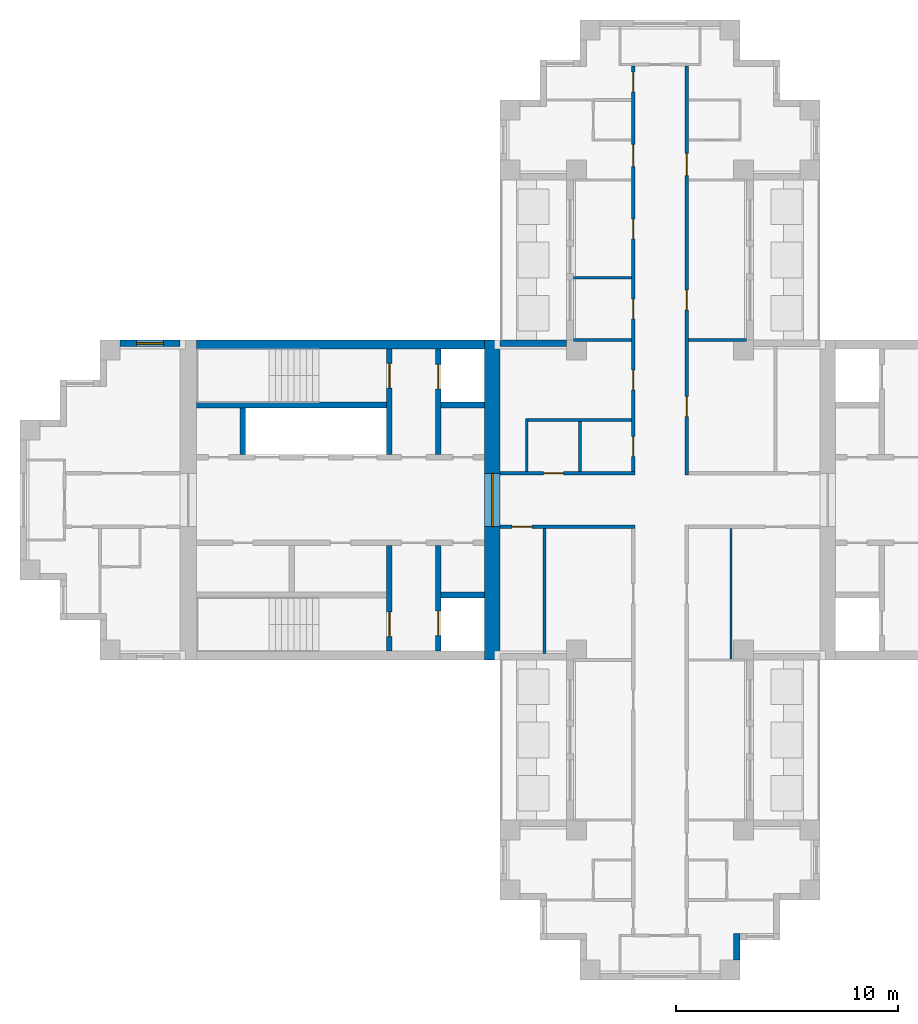
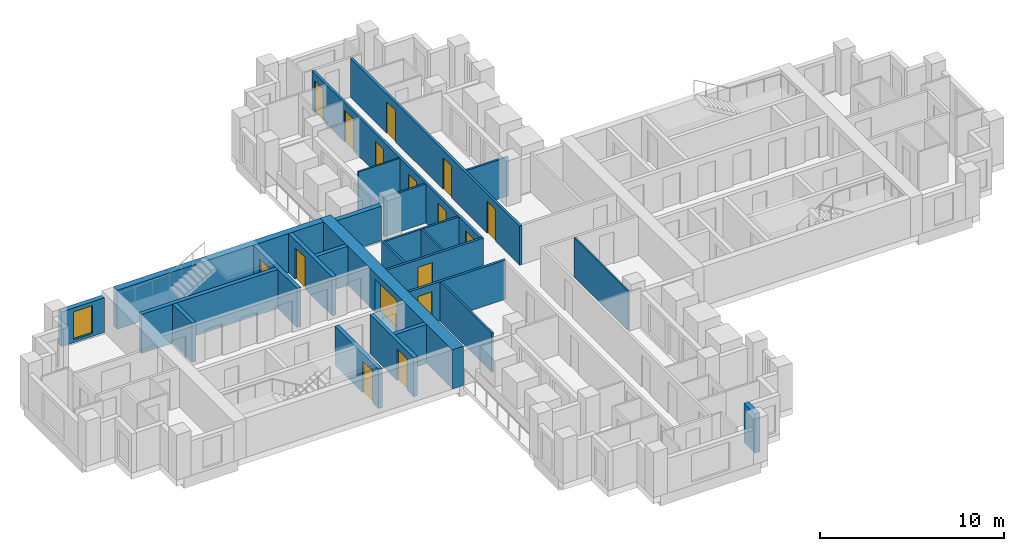
# One storey, part 4 of 10: 25 walls, 16 doors, 1 window, 17 openings.
"""IFC4 building model written with IfcOpenShell, lengths in metres."""

import ifcopenshell
import ifcopenshell.guid

model = None  # the IFC model being written
_history = None  # IfcOwnerHistory: only IFC2X3 demands one
_inside = {}  # id of a spatial element -> (the spatial element, [elements in it])
_under = {}  # id of a project, library or spatial element -> (it, [spatial elements below it])
_declared = {}  # id of a project -> (the project, [libraries it declares])
_typed = {}  # id of a type object -> (the type object, [elements of that type])
_made_of = {}  # id of a material, layer set ... -> (it, [elements and type objects made of it])


def new_model(schema):
    """Start an empty IFC model of exactly this schema.

    Asked for "IFC4X3", IfcOpenShell would pick the latest addendum, in which some entities
    have other attributes; the version numbers below select the first issue.
    IFC2X3 requires an IfcOwnerHistory on every rooted entity: one is made here for all.
    """
    global model, _history
    if schema == "IFC4X3":
        model = ifcopenshell.file(schema_version=(4, 3, 0, 0))
    else:
        model = ifcopenshell.file(schema=schema)
    _inside.clear()
    _under.clear()
    _declared.clear()
    _typed.clear()
    _made_of.clear()
    _history = None
    if model.schema == "IFC2X3":
        org = make("IfcOrganization", Name="unknown")
        user = make(
            "IfcPersonAndOrganization",
            ThePerson=make("IfcPerson", FamilyName="unknown"),
            TheOrganization=org,
        )
        app = make(
            "IfcApplication",
            ApplicationDeveloper=org,
            Version="unknown",
            ApplicationFullName="unknown",
            ApplicationIdentifier="unknown",
        )
        _history = make(
            "IfcOwnerHistory",
            OwningUser=user,
            OwningApplication=app,
            ChangeAction="ADDED",
            CreationDate=0,
        )
    return model


def make(cls, **values):
    """One entity of the class cls with the attributes given. An attribute that is None is left unset."""
    return model.create_entity(
        cls, **{name: value for name, value in values.items() if value is not None}
    )


def rooted(cls, **values):
    """An entity with a GlobalId (a new one), such as an element, a storey or a relation."""
    return make(cls, GlobalId=ifcopenshell.guid.new(), OwnerHistory=_history, **values)


def si_unit(unit_type, name, prefix=None):
    """IfcSIUnit, for example si_unit("LENGTHUNIT", "METRE", prefix="MILLI")."""
    return make("IfcSIUnit", UnitType=unit_type, Prefix=prefix, Name=name)


def assignment(units):
    """IfcUnitAssignment: the units of a project."""
    return None if units is None else make("IfcUnitAssignment", Units=units)


def point(xyz):
    """IfcCartesianPoint."""
    return None if xyz is None else make("IfcCartesianPoint", Coordinates=xyz)


def direction(xyz):
    """IfcDirection."""
    return None if xyz is None else make("IfcDirection", DirectionRatios=xyz)


def frame(location, z_axis=None, x_axis=None):
    """IfcAxis2Placement3D, a coordinate frame: its origin and axes. An axis left out is left unset."""
    return make(
        "IfcAxis2Placement3D",
        Location=point(location),
        Axis=direction(z_axis),
        RefDirection=direction(x_axis),
    )


def frame_2d(location, x_axis=None):
    """IfcAxis2Placement2D, a coordinate frame in the plane: its origin and x axis."""
    return make(
        "IfcAxis2Placement2D", Location=point(location), RefDirection=direction(x_axis)
    )


def origin():
    """The frame at (0, 0, 0) with its axes left unset."""
    return frame((0.0, 0.0, 0.0))


def place(relative_to, where):
    """IfcLocalPlacement: puts the frame where relative to a parent placement (None: the world)."""
    return make(
        "IfcLocalPlacement", PlacementRelTo=relative_to, RelativePlacement=where
    )


def context(
    kind, dimensions, precision=None, world=None, true_north=None, identifier=None
):
    """IfcGeometricRepresentationContext, for example the 3D "Model" context."""
    return make(
        "IfcGeometricRepresentationContext",
        ContextIdentifier=identifier,
        ContextType=kind,
        CoordinateSpaceDimension=dimensions,
        Precision=precision,
        WorldCoordinateSystem=world,
        TrueNorth=true_north,
    )


def subcontext(parent, identifier, kind, view, scale=None):
    """IfcGeometricRepresentationSubContext, for example "Body" below "Model"."""
    return make(
        "IfcGeometricRepresentationSubContext",
        ContextIdentifier=identifier,
        ContextType=kind,
        ParentContext=parent,
        TargetScale=scale,
        TargetView=view,
    )


def project(units=None, contexts=None):
    """IfcProject with its units and contexts."""
    return rooted(
        "IfcProject",
        Name="project",
        RepresentationContexts=contexts,
        UnitsInContext=assignment(units),
    )


def spatial(cls, under=None, at=None, **own):
    """A site, building, storey or space (cls), placed at a placement, below another one or the project."""
    s = rooted(cls, ObjectPlacement=at, **own)
    if under is not None:
        _under.setdefault(under.id(), (under, []))[1].append(s)
    return s


def profile(cls, at=None, kind="AREA", **sizes):
    """A parametric profile (cls). Its sizes go by their IFC names, for example OverallWidth=200.0."""
    return make(cls, ProfileType=kind, Position=at, **sizes)


def rectangle(**sizes):
    """IfcRectangleProfileDef."""
    return profile("IfcRectangleProfileDef", **sizes)


def extrude(swept, where, along, depth):
    """IfcExtrudedAreaSolid: the profile swept, set in the frame where, extruded along a direction by depth."""
    return make(
        "IfcExtrudedAreaSolid",
        SweptArea=swept,
        Position=where,
        ExtrudedDirection=direction(along),
        Depth=depth,
    )


def shape(context_of_items, identifier, shape_type, items):
    """IfcShapeRepresentation: the items that make up one representation, for example the "Body"."""
    return make(
        "IfcShapeRepresentation",
        ContextOfItems=context_of_items,
        RepresentationIdentifier=identifier,
        RepresentationType=shape_type,
        Items=items,
    )


def material(Name=None, Category=None):
    """IfcMaterial."""
    return make("IfcMaterial", Name=Name, Category=Category)


def layer(
    of_material, thickness, ventilated=None, Name=None, Category=None, Priority=None
):
    """IfcMaterialLayer: one layer of a wall or slab, of a material (None: an air gap)."""
    return make(
        "IfcMaterialLayer",
        Material=of_material,
        LayerThickness=thickness,
        IsVentilated=ventilated,
        Name=Name,
        Category=Category,
        Priority=Priority,
    )


def layer_set(layers, Name=None):
    """IfcMaterialLayerSet."""
    return make("IfcMaterialLayerSet", MaterialLayers=layers, LayerSetName=Name)


def made_of(thing, what):
    """Note that an element or type object is made of a material, layer set ...; save() writes the relation."""
    if what is not None:
        _made_of.setdefault(what.id(), (what, []))[1].append(thing)
    return thing


def type_object(cls, material=None, **own):
    """A type object (cls), such as IfcWallType, which elements share."""
    return made_of(rooted(cls, **own), material)


def element(
    cls,
    number,
    at=None,
    inside=None,
    cuts=None,
    type_object=None,
    material=None,
    context=None,
    identifier="Body",
    shape_type=None,
    held_by="IfcProductDefinitionShape",
    body=None,
    shapes=None,
    **own,
):
    """One element of the class cls, such as IfcWall. Its Tag is "e" and its number.

    at: its placement. inside: the storey or other place that contains it. cuts: it is an
    opening in that element (IfcRelVoidsElement). A single representation is given by context,
    identifier, shape_type and body (its items); several are given by shapes. held_by: the class
    of the entity that holds the representations. save() writes the other relations.
    """
    e = rooted(cls, Tag="e%d" % number, ObjectPlacement=at, **own)
    if body is not None:
        shapes = [shape(context, identifier, shape_type, body)]
    if shapes is not None:
        e.Representation = make(held_by, Representations=shapes)
    if inside is not None:
        _inside.setdefault(inside.id(), (inside, []))[1].append(e)
    if cuts is not None:
        rooted(
            "IfcRelVoidsElement", RelatingBuildingElement=cuts, RelatedOpeningElement=e
        )
    if type_object is not None:
        _typed.setdefault(type_object.id(), (type_object, []))[1].append(e)
    return made_of(e, material)


def fill(opening, filler):
    """IfcRelFillsElement: the door or window that sits in an opening."""
    return rooted(
        "IfcRelFillsElement",
        RelatingOpeningElement=opening,
        RelatedBuildingElement=filler,
    )


def aggregate(whole, parts):
    """IfcRelAggregates: a whole, such as a stair, and the parts it consists of."""
    return rooted("IfcRelAggregates", RelatingObject=whole, RelatedObjects=parts)


def save(model, path):
    """Write the relations noted so far, then the file.

    IfcRelAggregates (storeys below a building ...), IfcRelContainedInSpatialStructure (elements
    in a storey), IfcRelDefinesByType, IfcRelAssociatesMaterial and IfcRelDeclares: one each for
    every whole, place, type object, material and project.
    """
    for whole, parts in _under.values():
        aggregate(whole, parts)
    for where, things in _inside.values():
        rooted(
            "IfcRelContainedInSpatialStructure",
            RelatedElements=things,
            RelatingStructure=where,
        )
    for kind, things in _typed.values():
        rooted("IfcRelDefinesByType", RelatedObjects=things, RelatingType=kind)
    for what, things in _made_of.values():
        rooted("IfcRelAssociatesMaterial", RelatedObjects=things, RelatingMaterial=what)
    for by, libraries in _declared.values():
        rooted("IfcRelDeclares", RelatingContext=by, RelatedDefinitions=libraries)
    model.write(path)


model = new_model("IFC4")

# Units and contexts
model_context = context("Model", 3, precision=1e-05, world=origin(), true_north=direction((0.0, 1.0)))
body_context = subcontext(model_context, "Body", "Model", "MODEL_VIEW")
ifc_project = project(units=[si_unit("LENGTHUNIT", "METRE"), si_unit("AREAUNIT", "SQUARE_METRE"), si_unit("VOLUMEUNIT", "CUBIC_METRE"), si_unit("PLANEANGLEUNIT", "RADIAN"), si_unit("MASSUNIT", "GRAM", prefix="KILO")], contexts=[model_context])

# Site, building, storey
site_placement = place(None, origin())
site = spatial("IfcSite", under=ifc_project, at=site_placement, CompositionType="ELEMENT")
building_placement = place(site_placement, origin())
building = spatial("IfcBuilding", under=site, at=building_placement, Name="Fustian Cross Tower", CompositionType="ELEMENT")
storey_placement = place(building_placement, frame((0.0, 0.0, 225.89990234375)))
storey = spatial("IfcBuildingStorey", under=building, at=storey_placement, Name="L71", CompositionType="ELEMENT", Elevation=225.89990234375)

# Wall, opening, door
ifc_material_1 = material(Name="Plasterboard on steel stud", Category="steel")
ifc_layer_1 = layer(ifc_material_1, 0.14990234375)
ifc_layer_set_1 = layer_set([ifc_layer_1], Name="Plasterboard on steel stud")
wall_type_1 = type_object("IfcWallType", Name="COMPARTMENT WALL 150 EI 60", PredefinedType="PARTITIONING", material=ifc_layer_set_1)
wall_1_placement = place(storey_placement, frame((-7.199951171875, -1.199951171875, 0.0), z_axis=(0.0, 0.0, 1.0), x_axis=(1.0, 0.0, 0.0)))
wall_1 = element("IfcWall", 1, at=wall_1_placement, inside=storey, type_object=wall_type_1, Name="Partition 12", PredefinedType="PARTITIONING", context=body_context, shape_type="SweptSolid", body=[
    extrude(rectangle(XDim=6.074951171875, YDim=0.14990234375, at=frame_2d((3.03759765625, 0.0))), origin(), (0.0, 0.0, 1.0), 2.60009765625),
])
opening_1_placement = place(wall_1_placement, frame((0.550048828125, 0.0, 0.0)))
opening_1 = element("IfcOpeningElement", 2, at=opening_1_placement, cuts=wall_1, Name="Opening D32009", PredefinedType="OPENING", context=body_context, shape_type="SweptSolid", body=[
    extrude(rectangle(XDim=0.89990234375, YDim=2.10009765625, at=frame_2d((0.449951171875, 1.050048828125))), frame((0.0, 0.0849609375, 0.0), z_axis=(0.0, -1.0, 0.0), x_axis=(1.0, 0.0, 0.0)), (0.0, 0.0, 1.0), 0.169921875),
])
ifc_material_2 = material(Name="Timber fire door set", Category="wood")
door_type_1 = type_object("IfcDoorType", Name="FIRE SWING DOOR 900 FD30S", OperationType="SINGLE_SWING_LEFT", PredefinedType="DOOR", material=ifc_material_2)
door_1_placement = place(opening_1_placement, frame((0.89990234375, 0.0, 0.0), z_axis=(0.0, 0.0, 1.0), x_axis=(-1.0, 0.0, 0.0)))
door_1 = element("IfcDoor", 3, at=door_1_placement, inside=storey, type_object=door_type_1, Name="Door D32009", OperationType="SINGLE_SWING_RIGHT", OverallHeight=2.10009765625, OverallWidth=0.89990234375, PredefinedType="DOOR", context=body_context, shape_type="SweptSolid", body=[
    extrude(rectangle(XDim=0.89990234375, YDim=2.10009765625, at=frame_2d((0.449951171875, 1.050048828125))), frame((0.0, 0.02490234375, 0.0), z_axis=(0.0, -1.0, 0.0), x_axis=(1.0, 0.0, 0.0)), (0.0, 0.0, 1.0), 0.050048828125),
])
fill(opening_1, door_1)

wall_2_placement = place(storey_placement, frame((-7.199951171875, 1.199951171875, 0.0), z_axis=(0.0, 0.0, 1.0), x_axis=(1.0, 0.0, 0.0)))
wall_2 = element("IfcWall", 4, at=wall_2_placement, inside=storey, type_object=wall_type_1, Name="Partition 13", PredefinedType="PARTITIONING", context=body_context, shape_type="SweptSolid", body=[
    extrude(rectangle(XDim=6.074951171875, YDim=0.14990234375, at=frame_2d((3.03759765625, 0.0))), origin(), (0.0, 0.0, 1.0), 2.60009765625),
])
opening_2_placement = place(wall_2_placement, frame((1.949951171875, 0.0, 0.0)))
opening_2 = element("IfcOpeningElement", 5, at=opening_2_placement, cuts=wall_2, Name="Opening D32004", PredefinedType="OPENING", context=body_context, shape_type="SweptSolid", body=[
    extrude(rectangle(XDim=0.89990234375, YDim=2.10009765625, at=frame_2d((0.449951171875, 1.050048828125))), frame((0.0, 0.0849609375, 0.0), z_axis=(0.0, -1.0, 0.0), x_axis=(1.0, 0.0, 0.0)), (0.0, 0.0, 1.0), 0.169921875),
])
door_2_placement = place(opening_2_placement, origin())
door_2 = element("IfcDoor", 6, at=door_2_placement, inside=storey, type_object=door_type_1, Name="Door D32004", OperationType="SINGLE_SWING_LEFT", OverallHeight=2.10009765625, OverallWidth=0.89990234375, PredefinedType="DOOR", context=body_context, shape_type="SweptSolid", body=[
    extrude(rectangle(XDim=0.89990234375, YDim=2.10009765625, at=frame_2d((0.449951171875, 1.050048828125))), frame((0.0, 0.02490234375, 0.0), z_axis=(0.0, -1.0, 0.0), x_axis=(1.0, 0.0, 0.0)), (0.0, 0.0, 1.0), 0.050048828125),
])
fill(opening_2, door_2)

# Wall, openings, doors
wall_3_placement = place(storey_placement, frame((-1.199951171875, 1.27490234375, 0.0), z_axis=(0.0, 0.0, 1.0), x_axis=(0.0, 1.0, 0.0)))
wall_3 = element("IfcWall", 7, at=wall_3_placement, inside=storey, type_object=wall_type_1, Name="Partition 37", PredefinedType="PARTITIONING", context=body_context, shape_type="SweptSolid", body=[
    extrude(rectangle(XDim=18.25, YDim=0.14990234375, at=frame_2d((9.125, 0.0))), origin(), (0.0, 0.0, 1.0), 2.60009765625),
])
opening_3_placement = place(wall_3_placement, frame((0.675048828125, 0.0, 0.0)))
opening_3 = element("IfcOpeningElement", 8, at=opening_3_placement, cuts=wall_3, Name="Opening D32003", PredefinedType="OPENING", context=body_context, shape_type="SweptSolid", body=[
    extrude(rectangle(XDim=0.89990234375, YDim=2.10009765625, at=frame_2d((0.449951171875, 1.050048828125))), frame((0.0, 0.0849609375, 0.0), z_axis=(0.0, -1.0, 0.0), x_axis=(1.0, 0.0, 0.0)), (0.0, 0.0, 1.0), 0.169921875),
])
opening_4_placement = place(wall_3_placement, frame((3.675048828125, 0.0, 0.0)))
opening_4 = element("IfcOpeningElement", 9, at=opening_4_placement, cuts=wall_3, Name="Opening D32005", PredefinedType="OPENING", context=body_context, shape_type="SweptSolid", body=[
    extrude(rectangle(XDim=0.89990234375, YDim=2.10009765625, at=frame_2d((0.449951171875, 1.050048828125))), frame((0.0, 0.0849609375, 0.0), z_axis=(0.0, -1.0, 0.0), x_axis=(1.0, 0.0, 0.0)), (0.0, 0.0, 1.0), 0.169921875),
])
opening_5_placement = place(wall_3_placement, frame((6.875, 0.0, 0.0)))
opening_5 = element("IfcOpeningElement", 10, at=opening_5_placement, cuts=wall_3, Name="Opening D32016", PredefinedType="OPENING", context=body_context, shape_type="SweptSolid", body=[
    extrude(rectangle(XDim=0.89990234375, YDim=2.10009765625, at=frame_2d((0.449951171875, 1.050048828125))), frame((0.0, 0.0849609375, 0.0), z_axis=(0.0, -1.0, 0.0), x_axis=(1.0, 0.0, 0.0)), (0.0, 0.0, 1.0), 0.169921875),
])
opening_6_placement = place(wall_3_placement, frame((10.47509765625, 0.0, 0.0)))
opening_6 = element("IfcOpeningElement", 11, at=opening_6_placement, cuts=wall_3, Name="Opening D32017", PredefinedType="OPENING", context=body_context, shape_type="SweptSolid", body=[
    extrude(rectangle(XDim=0.89990234375, YDim=2.10009765625, at=frame_2d((0.449951171875, 1.050048828125))), frame((0.0, 0.0849609375, 0.0), z_axis=(0.0, -1.0, 0.0), x_axis=(1.0, 0.0, 0.0)), (0.0, 0.0, 1.0), 0.169921875),
])
opening_7_placement = place(wall_3_placement, frame((13.72509765625, 0.0, 0.0)))
opening_7 = element("IfcOpeningElement", 12, at=opening_7_placement, cuts=wall_3, Name="Opening D32019", PredefinedType="OPENING", context=body_context, shape_type="SweptSolid", body=[
    extrude(rectangle(XDim=1.0, YDim=2.10009765625, at=frame_2d((0.5, 1.050048828125))), frame((0.0, 0.0849609375, 0.0), z_axis=(0.0, -1.0, 0.0), x_axis=(1.0, 0.0, 0.0)), (0.0, 0.0, 1.0), 0.169921875),
])
opening_8_placement = place(wall_3_placement, frame((17.074951171875, 0.0, 0.0)))
opening_8 = element("IfcOpeningElement", 13, at=opening_8_placement, cuts=wall_3, Name="Opening D32020", PredefinedType="OPENING", context=body_context, shape_type="SweptSolid", body=[
    extrude(rectangle(XDim=0.89990234375, YDim=2.10009765625, at=frame_2d((0.449951171875, 1.050048828125))), frame((0.0, 0.0849609375, 0.0), z_axis=(0.0, -1.0, 0.0), x_axis=(1.0, 0.0, 0.0)), (0.0, 0.0, 1.0), 0.169921875),
])
ifc_material_3 = material(Name="Timber fire door set", Category="wood")
door_type_2 = type_object("IfcDoorType", Name="FIRE SWING DOOR 1000 FD30S", OperationType="SINGLE_SWING_LEFT", PredefinedType="DOOR", material=ifc_material_3)
door_3_placement = place(opening_7_placement, origin())
door_3 = element("IfcDoor", 14, at=door_3_placement, inside=storey, type_object=door_type_2, Name="Door D32019", OperationType="SINGLE_SWING_RIGHT", OverallHeight=2.10009765625, OverallWidth=1.0, PredefinedType="DOOR", context=body_context, shape_type="SweptSolid", body=[
    extrude(rectangle(XDim=1.0, YDim=2.10009765625, at=frame_2d((0.5, 1.050048828125))), frame((0.0, 0.02490234375, 0.0), z_axis=(0.0, -1.0, 0.0), x_axis=(1.0, 0.0, 0.0)), (0.0, 0.0, 1.0), 0.050048828125),
])
fill(opening_7, door_3)
door_4_placement = place(opening_3_placement, origin())
door_4 = element("IfcDoor", 15, at=door_4_placement, inside=storey, type_object=door_type_1, Name="Door D32003", OperationType="SINGLE_SWING_LEFT", OverallHeight=2.10009765625, OverallWidth=0.89990234375, PredefinedType="DOOR", context=body_context, shape_type="SweptSolid", body=[
    extrude(rectangle(XDim=0.89990234375, YDim=2.10009765625, at=frame_2d((0.449951171875, 1.050048828125))), frame((0.0, 0.02490234375, 0.0), z_axis=(0.0, -1.0, 0.0), x_axis=(1.0, 0.0, 0.0)), (0.0, 0.0, 1.0), 0.050048828125),
])
fill(opening_3, door_4)
door_5_placement = place(opening_4_placement, origin())
door_5 = element("IfcDoor", 16, at=door_5_placement, inside=storey, type_object=door_type_1, Name="Door D32005", OperationType="SINGLE_SWING_LEFT", OverallHeight=2.10009765625, OverallWidth=0.89990234375, PredefinedType="DOOR", context=body_context, shape_type="SweptSolid", body=[
    extrude(rectangle(XDim=0.89990234375, YDim=2.10009765625, at=frame_2d((0.449951171875, 1.050048828125))), frame((0.0, 0.02490234375, 0.0), z_axis=(0.0, -1.0, 0.0), x_axis=(1.0, 0.0, 0.0)), (0.0, 0.0, 1.0), 0.050048828125),
])
fill(opening_4, door_5)
door_6_placement = place(opening_5_placement, origin())
door_6 = element("IfcDoor", 17, at=door_6_placement, inside=storey, type_object=door_type_1, Name="Door D32016", OperationType="SINGLE_SWING_LEFT", OverallHeight=2.10009765625, OverallWidth=0.89990234375, PredefinedType="DOOR", context=body_context, shape_type="SweptSolid", body=[
    extrude(rectangle(XDim=0.89990234375, YDim=2.10009765625, at=frame_2d((0.449951171875, 1.050048828125))), frame((0.0, 0.02490234375, 0.0), z_axis=(0.0, -1.0, 0.0), x_axis=(1.0, 0.0, 0.0)), (0.0, 0.0, 1.0), 0.050048828125),
])
fill(opening_5, door_6)
door_7_placement = place(opening_6_placement, origin())
door_7 = element("IfcDoor", 18, at=door_7_placement, inside=storey, type_object=door_type_1, Name="Door D32017", OperationType="SINGLE_SWING_LEFT", OverallHeight=2.10009765625, OverallWidth=0.89990234375, PredefinedType="DOOR", context=body_context, shape_type="SweptSolid", body=[
    extrude(rectangle(XDim=0.89990234375, YDim=2.10009765625, at=frame_2d((0.449951171875, 1.050048828125))), frame((0.0, 0.02490234375, 0.0), z_axis=(0.0, -1.0, 0.0), x_axis=(1.0, 0.0, 0.0)), (0.0, 0.0, 1.0), 0.050048828125),
])
fill(opening_6, door_7)
door_8_placement = place(opening_8_placement, origin())
door_8 = element("IfcDoor", 19, at=door_8_placement, inside=storey, type_object=door_type_1, Name="Door D32020", OperationType="SINGLE_SWING_LEFT", OverallHeight=2.10009765625, OverallWidth=0.89990234375, PredefinedType="DOOR", context=body_context, shape_type="SweptSolid", body=[
    extrude(rectangle(XDim=0.89990234375, YDim=2.10009765625, at=frame_2d((0.449951171875, 1.050048828125))), frame((0.0, 0.02490234375, 0.0), z_axis=(0.0, -1.0, 0.0), x_axis=(1.0, 0.0, 0.0)), (0.0, 0.0, 1.0), 0.050048828125),
])
fill(opening_8, door_8)

wall_4_placement = place(storey_placement, frame((1.199951171875, 1.125, 0.0), z_axis=(0.0, 0.0, 1.0), x_axis=(0.0, 1.0, 0.0)))
wall_4 = element("IfcWall", 20, at=wall_4_placement, inside=storey, type_object=wall_type_1, Name="Partition 46", PredefinedType="PARTITIONING", context=body_context, shape_type="SweptSolid", body=[
    extrude(rectangle(XDim=18.39990234375, YDim=0.14990234375, at=frame_2d((9.199951171875, 0.0))), origin(), (0.0, 0.0, 1.0), 2.60009765625),
])
opening_9_placement = place(wall_4_placement, frame((2.625, 0.0, 0.0)))
opening_9 = element("IfcOpeningElement", 21, at=opening_9_placement, cuts=wall_4, Name="Opening D32001", PredefinedType="OPENING", context=body_context, shape_type="SweptSolid", body=[
    extrude(rectangle(XDim=0.89990234375, YDim=2.10009765625, at=frame_2d((0.449951171875, 1.050048828125))), frame((0.0, 0.0849609375, 0.0), z_axis=(0.0, -1.0, 0.0), x_axis=(1.0, 0.0, 0.0)), (0.0, 0.0, 1.0), 0.169921875),
])
opening_10_placement = place(wall_4_placement, frame((7.425048828125, 0.0, 0.0)))
opening_10 = element("IfcOpeningElement", 22, at=opening_10_placement, cuts=wall_4, Name="Opening D32021", PredefinedType="OPENING", context=body_context, shape_type="SweptSolid", body=[
    extrude(rectangle(XDim=0.89990234375, YDim=2.10009765625, at=frame_2d((0.449951171875, 1.050048828125))), frame((0.0, 0.0849609375, 0.0), z_axis=(0.0, -1.0, 0.0), x_axis=(1.0, 0.0, 0.0)), (0.0, 0.0, 1.0), 0.169921875),
])
opening_11_placement = place(wall_4_placement, frame((13.47509765625, 0.0, 0.0)))
opening_11 = element("IfcOpeningElement", 23, at=opening_11_placement, cuts=wall_4, Name="Opening D32023", PredefinedType="OPENING", context=body_context, shape_type="SweptSolid", body=[
    extrude(rectangle(XDim=1.0, YDim=2.10009765625, at=frame_2d((0.5, 1.050048828125))), frame((0.0, 0.0849609375, 0.0), z_axis=(0.0, -1.0, 0.0), x_axis=(1.0, 0.0, 0.0)), (0.0, 0.0, 1.0), 0.169921875),
])
door_9_placement = place(opening_11_placement, frame((1.0, 0.0, 0.0), z_axis=(0.0, 0.0, 1.0), x_axis=(-1.0, 0.0, 0.0)))
door_9 = element("IfcDoor", 24, at=door_9_placement, inside=storey, type_object=door_type_2, Name="Door D32023", OperationType="SINGLE_SWING_RIGHT", OverallHeight=2.10009765625, OverallWidth=1.0, PredefinedType="DOOR", context=body_context, shape_type="SweptSolid", body=[
    extrude(rectangle(XDim=1.0, YDim=2.10009765625, at=frame_2d((0.5, 1.050048828125))), frame((0.0, 0.02490234375, 0.0), z_axis=(0.0, -1.0, 0.0), x_axis=(1.0, 0.0, 0.0)), (0.0, 0.0, 1.0), 0.050048828125),
])
fill(opening_11, door_9)
door_10_placement = place(opening_9_placement, frame((0.89990234375, 0.0, 0.0), z_axis=(0.0, 0.0, 1.0), x_axis=(-1.0, 0.0, 0.0)))
door_10 = element("IfcDoor", 25, at=door_10_placement, inside=storey, type_object=door_type_1, Name="Door D32001", OperationType="SINGLE_SWING_RIGHT", OverallHeight=2.10009765625, OverallWidth=0.89990234375, PredefinedType="DOOR", context=body_context, shape_type="SweptSolid", body=[
    extrude(rectangle(XDim=0.89990234375, YDim=2.10009765625, at=frame_2d((0.449951171875, 1.050048828125))), frame((0.0, 0.02490234375, 0.0), z_axis=(0.0, -1.0, 0.0), x_axis=(1.0, 0.0, 0.0)), (0.0, 0.0, 1.0), 0.050048828125),
])
fill(opening_9, door_10)
door_11_placement = place(opening_10_placement, frame((0.89990234375, 0.0, 0.0), z_axis=(0.0, 0.0, 1.0), x_axis=(-1.0, 0.0, 0.0)))
door_11 = element("IfcDoor", 26, at=door_11_placement, inside=storey, type_object=door_type_1, Name="Door D32021", OperationType="SINGLE_SWING_RIGHT", OverallHeight=2.10009765625, OverallWidth=0.89990234375, PredefinedType="DOOR", context=body_context, shape_type="SweptSolid", body=[
    extrude(rectangle(XDim=0.89990234375, YDim=2.10009765625, at=frame_2d((0.449951171875, 1.050048828125))), frame((0.0, 0.02490234375, 0.0), z_axis=(0.0, -1.0, 0.0), x_axis=(1.0, 0.0, 0.0)), (0.0, 0.0, 1.0), 0.050048828125),
])
fill(opening_10, door_11)

# Wall, opening, door
ifc_material_4 = material(Name="Concrete C50/60", Category="concrete")
ifc_layer_2 = layer(ifc_material_4, 0.699951171875)
ifc_layer_set_2 = layer_set([ifc_layer_2], Name="Concrete C50/60")
wall_type_2 = type_object("IfcWallType", Name="CORE END WALL 700 C50/60", PredefinedType="SHEAR", material=ifc_layer_set_2)
wall_5_placement = place(storey_placement, frame((-7.550048828125, -7.199951171875, 0.0), z_axis=(0.0, 0.0, 1.0), x_axis=(0.0, 1.0, 0.0)))
wall_5 = element("IfcWall", 27, at=wall_5_placement, inside=storey, type_object=wall_type_2, Name="Core end wall", PredefinedType="SHEAR", context=body_context, shape_type="SweptSolid", body=[
    extrude(rectangle(XDim=14.39990234375, YDim=0.699951171875, at=frame_2d((7.199951171875, 0.0))), origin(), (0.0, 0.0, 1.0), 2.60009765625),
])
opening_12_placement = place(wall_5_placement, frame((6.0, 0.0, 0.0)))
opening_12 = element("IfcOpeningElement", 28, at=opening_12_placement, cuts=wall_5, Name="Opening CD-27-28", PredefinedType="OPENING", context=body_context, shape_type="SweptSolid", body=[
    extrude(rectangle(XDim=2.39990234375, YDim=2.199951171875, at=frame_2d((1.199951171875, 1.10009765625))), frame((0.0, 0.35986328125, 0.0), z_axis=(0.0, -1.0, 0.0), x_axis=(1.0, 0.0, 0.0)), (0.0, 0.0, 1.0), 0.719970703125),
])
ifc_material_5 = material(Name="Steel", Category="steel")
door_type_3 = type_object("IfcDoorType", Name="FIRE DOOR FD30S DOUBLE 2400X2200", OperationType="DOUBLE_DOOR_DOUBLE_SWING", PredefinedType="DOOR", material=ifc_material_5)
door_12_placement = place(opening_12_placement, origin())
door_12 = element("IfcDoor", 29, at=door_12_placement, inside=storey, type_object=door_type_3, Name="Core door CD-27-28", OperationType="DOUBLE_DOOR_DOUBLE_SWING", OverallHeight=2.199951171875, OverallWidth=2.39990234375, PredefinedType="DOOR", context=body_context, shape_type="SweptSolid", body=[
    extrude(rectangle(XDim=2.39990234375, YDim=2.199951171875, at=frame_2d((1.199951171875, 1.10009765625))), frame((0.0, 0.02490234375, 0.0), z_axis=(0.0, -1.0, 0.0), x_axis=(1.0, 0.0, 0.0)), (0.0, 0.0, 1.0), 0.050048828125),
])
fill(opening_12, door_12)

# Walls
ifc_material_6 = material(Name="Concrete C50/60", Category="concrete")
ifc_layer_3 = layer(ifc_material_6, 0.39990234375)
ifc_layer_set_3 = layer_set([ifc_layer_3], Name="Concrete C50/60")
wall_type_3 = type_object("IfcWallType", Name="CORE FACADE WALL 400 C50/60", PredefinedType="SHEAR", material=ifc_layer_set_3)
wall_6_placement = place(storey_placement, frame((-7.89990234375, 7.0, 0.0), z_axis=(0.0, 0.0, 1.0), x_axis=(-1.0, 0.0, 0.0)))
element("IfcWall", 30, at=wall_6_placement, inside=storey, type_object=wall_type_3, Name="Core facade wall", PredefinedType="SHEAR", context=body_context, shape_type="SweptSolid", body=[
    extrude(rectangle(XDim=12.9501953125, YDim=0.39990234375, at=frame_2d((6.47509765625, 0.0))), origin(), (0.0, 0.0, 1.0), 2.60009765625),
])
ifc_material_7 = material(Name="Concrete C50/60", Category="concrete")
ifc_layer_4 = layer(ifc_material_7, 0.25)
ifc_layer_set_4 = layer_set([ifc_layer_4], Name="Concrete C50/60")
wall_type_4 = type_object("IfcWallType", Name="CORE SHAFT WALL 250 C50/60", PredefinedType="SHEAR", material=ifc_layer_set_4)
wall_7_placement = place(storey_placement, frame((-7.89990234375, 4.27490234375, 0.0), z_axis=(0.0, 0.0, 1.0), x_axis=(-1.0, 0.0, 0.0)))
element("IfcWall", 31, at=wall_7_placement, inside=storey, type_object=wall_type_4, Name="Core shaft wall", PredefinedType="SHEAR", context=body_context, shape_type="SweptSolid", body=[
    extrude(rectangle(XDim=1.9501953125, YDim=0.25, at=frame_2d((0.97509765625, 0.0))), origin(), (0.0, 0.0, 1.0), 2.60009765625),
])
wall_8_placement = place(storey_placement, frame((-12.300048828125, 4.27490234375, 0.0), z_axis=(0.0, 0.0, 1.0), x_axis=(-1.0, 0.0, 0.0)))
element("IfcWall", 32, at=wall_8_placement, inside=storey, type_object=wall_type_4, Name="Core shaft wall", PredefinedType="SHEAR", context=body_context, shape_type="SweptSolid", body=[
    extrude(rectangle(XDim=8.550048828125, YDim=0.25, at=frame_2d((4.27490234375, 0.0))), origin(), (0.0, 0.0, 1.0), 2.60009765625),
])

# Wall, opening, door
wall_9_placement = place(storey_placement, frame((-9.97509765625, 2.050048828125, 0.0), z_axis=(0.0, 0.0, 1.0), x_axis=(0.0, 1.0, 0.0)))
wall_9 = element("IfcWall", 33, at=wall_9_placement, inside=storey, type_object=wall_type_4, Name="Core shaft wall", PredefinedType="SHEAR", context=body_context, shape_type="SweptSolid", body=[
    extrude(rectangle(XDim=4.75, YDim=0.25, at=frame_2d((2.375, 0.0))), origin(), (0.0, 0.0, 1.0), 2.60009765625),
])
opening_13_placement = place(wall_9_placement, frame((2.949951171875, 0.0, 0.0)))
opening_13 = element("IfcOpeningElement", 34, at=opening_13_placement, cuts=wall_9, Name="Opening LD", PredefinedType="OPENING", context=body_context, shape_type="SweptSolid", body=[
    extrude(rectangle(XDim=1.10009765625, YDim=2.10009765625, at=frame_2d((0.550048828125, 1.050048828125))), frame((0.0, 0.135009765625, 0.0), z_axis=(0.0, -1.0, 0.0), x_axis=(1.0, 0.0, 0.0)), (0.0, 0.0, 1.0), 0.27001953125),
])
ifc_material_8 = material(Name="Stainless steel", Category="steel")
door_type_4 = type_object("IfcDoorType", Name="LIFT LANDING DOOR 1100X2100", OperationType="SLIDING_TO_LEFT", PredefinedType="DOOR", material=ifc_material_8)
door_13_placement = place(opening_13_placement, origin())
door_13 = element("IfcDoor", 35, at=door_13_placement, inside=storey, type_object=door_type_4, Name="Landing door FL1W", OperationType="SLIDING_TO_LEFT", OverallHeight=2.10009765625, OverallWidth=1.10009765625, PredefinedType="DOOR", context=body_context, shape_type="SweptSolid", body=[
    extrude(rectangle(XDim=1.10009765625, YDim=2.10009765625, at=frame_2d((0.550048828125, 1.050048828125))), frame((0.0, 0.02490234375, 0.0), z_axis=(0.0, -1.0, 0.0), x_axis=(1.0, 0.0, 0.0)), (0.0, 0.0, 1.0), 0.050048828125),
])
fill(opening_13, door_13)

wall_10_placement = place(storey_placement, frame((-12.175048828125, 2.050048828125, 0.0), z_axis=(0.0, 0.0, 1.0), x_axis=(0.0, 1.0, 0.0)))
wall_10 = element("IfcWall", 36, at=wall_10_placement, inside=storey, type_object=wall_type_4, Name="Core shaft wall", PredefinedType="SHEAR", context=body_context, shape_type="SweptSolid", body=[
    extrude(rectangle(XDim=4.75, YDim=0.25, at=frame_2d((2.375, 0.0))), origin(), (0.0, 0.0, 1.0), 2.60009765625),
])
opening_14_placement = place(wall_10_placement, frame((3.0, 0.0, 0.0)))
opening_14 = element("IfcOpeningElement", 37, at=opening_14_placement, cuts=wall_10, Name="Opening CD-27-22", PredefinedType="OPENING", context=body_context, shape_type="SweptSolid", body=[
    extrude(rectangle(XDim=1.10009765625, YDim=2.10009765625, at=frame_2d((0.550048828125, 1.050048828125))), frame((0.0, 0.135009765625, 0.0), z_axis=(0.0, -1.0, 0.0), x_axis=(1.0, 0.0, 0.0)), (0.0, 0.0, 1.0), 0.27001953125),
])
ifc_material_9 = material(Name="Steel", Category="steel")
door_type_5 = type_object("IfcDoorType", Name="FIRE DOOR FD60S 1100X2100", OperationType="SINGLE_SWING_LEFT", PredefinedType="DOOR", material=ifc_material_9)
door_14_placement = place(opening_14_placement, origin())
door_14 = element("IfcDoor", 38, at=door_14_placement, inside=storey, type_object=door_type_5, Name="Core door CD-27-22", OperationType="SINGLE_SWING_LEFT", OverallHeight=2.10009765625, OverallWidth=1.10009765625, PredefinedType="DOOR", context=body_context, shape_type="SweptSolid", body=[
    extrude(rectangle(XDim=1.10009765625, YDim=2.10009765625, at=frame_2d((0.550048828125, 1.050048828125))), frame((0.0, 0.02490234375, 0.0), z_axis=(0.0, -1.0, 0.0), x_axis=(1.0, 0.0, 0.0)), (0.0, 0.0, 1.0), 0.050048828125),
])
fill(opening_14, door_14)

# Wall
wall_11_placement = place(storey_placement, frame((-7.89990234375, -4.27490234375, 0.0), z_axis=(0.0, 0.0, 1.0), x_axis=(-1.0, 0.0, 0.0)))
element("IfcWall", 39, at=wall_11_placement, inside=storey, type_object=wall_type_4, Name="Core shaft wall", PredefinedType="SHEAR", context=body_context, shape_type="SweptSolid", body=[
    extrude(rectangle(XDim=1.9501953125, YDim=0.25, at=frame_2d((0.97509765625, 0.0))), origin(), (0.0, 0.0, 1.0), 2.60009765625),
])

# Wall, opening, door
wall_12_placement = place(storey_placement, frame((-9.97509765625, -2.050048828125, 0.0), z_axis=(0.0, 0.0, 1.0), x_axis=(0.0, -1.0, 0.0)))
wall_12 = element("IfcWall", 40, at=wall_12_placement, inside=storey, type_object=wall_type_4, Name="Core shaft wall", PredefinedType="SHEAR", context=body_context, shape_type="SweptSolid", body=[
    extrude(rectangle(XDim=4.75, YDim=0.25, at=frame_2d((2.375, 0.0))), origin(), (0.0, 0.0, 1.0), 2.60009765625),
])
opening_15_placement = place(wall_12_placement, frame((2.949951171875, 0.0, 0.0)))
opening_15 = element("IfcOpeningElement", 41, at=opening_15_placement, cuts=wall_12, Name="Opening LD", PredefinedType="OPENING", context=body_context, shape_type="SweptSolid", body=[
    extrude(rectangle(XDim=1.10009765625, YDim=2.10009765625, at=frame_2d((0.550048828125, 1.050048828125))), frame((0.0, 0.135009765625, 0.0), z_axis=(0.0, -1.0, 0.0), x_axis=(1.0, 0.0, 0.0)), (0.0, 0.0, 1.0), 0.27001953125),
])
door_15_placement = place(opening_15_placement, origin())
door_15 = element("IfcDoor", 42, at=door_15_placement, inside=storey, type_object=door_type_4, Name="Landing door SV1W", OperationType="SLIDING_TO_LEFT", OverallHeight=2.10009765625, OverallWidth=1.10009765625, PredefinedType="DOOR", context=body_context, shape_type="SweptSolid", body=[
    extrude(rectangle(XDim=1.10009765625, YDim=2.10009765625, at=frame_2d((0.550048828125, 1.050048828125))), frame((0.0, 0.02490234375, 0.0), z_axis=(0.0, -1.0, 0.0), x_axis=(1.0, 0.0, 0.0)), (0.0, 0.0, 1.0), 0.050048828125),
])
fill(opening_15, door_15)

wall_13_placement = place(storey_placement, frame((-12.175048828125, -2.050048828125, 0.0), z_axis=(0.0, 0.0, 1.0), x_axis=(0.0, -1.0, 0.0)))
wall_13 = element("IfcWall", 43, at=wall_13_placement, inside=storey, type_object=wall_type_4, Name="Core shaft wall", PredefinedType="SHEAR", context=body_context, shape_type="SweptSolid", body=[
    extrude(rectangle(XDim=4.75, YDim=0.25, at=frame_2d((2.375, 0.0))), origin(), (0.0, 0.0, 1.0), 2.60009765625),
])
opening_16_placement = place(wall_13_placement, frame((3.0, 0.0, 0.0)))
opening_16 = element("IfcOpeningElement", 44, at=opening_16_placement, cuts=wall_13, Name="Opening CD-27-23", PredefinedType="OPENING", context=body_context, shape_type="SweptSolid", body=[
    extrude(rectangle(XDim=1.10009765625, YDim=2.10009765625, at=frame_2d((0.550048828125, 1.050048828125))), frame((0.0, 0.135009765625, 0.0), z_axis=(0.0, -1.0, 0.0), x_axis=(1.0, 0.0, 0.0)), (0.0, 0.0, 1.0), 0.27001953125),
])
door_16_placement = place(opening_16_placement, frame((1.10009765625, 0.0, 0.0), z_axis=(0.0, 0.0, 1.0), x_axis=(-1.0, 0.0, 0.0)))
door_16 = element("IfcDoor", 45, at=door_16_placement, inside=storey, type_object=door_type_5, Name="Core door CD-27-23", OperationType="SINGLE_SWING_RIGHT", OverallHeight=2.10009765625, OverallWidth=1.10009765625, PredefinedType="DOOR", context=body_context, shape_type="SweptSolid", body=[
    extrude(rectangle(XDim=1.10009765625, YDim=2.10009765625, at=frame_2d((0.550048828125, 1.050048828125))), frame((0.0, 0.02490234375, 0.0), z_axis=(0.0, -1.0, 0.0), x_axis=(1.0, 0.0, 0.0)), (0.0, 0.0, 1.0), 0.050048828125),
])
fill(opening_16, door_16)

# Walls
ifc_material_10 = material(Name="Plasterboard on steel stud", Category="steel")
ifc_layer_5 = layer(ifc_material_10, 0.10009765625)
ifc_layer_set_5 = layer_set([ifc_layer_5], Name="Plasterboard on steel stud")
wall_type_5 = type_object("IfcWallType", Name="PARTITION 100 STUD", PredefinedType="PARTITIONING", material=ifc_layer_set_5)
wall_14_placement = place(storey_placement, frame((-3.89990234375, 10.0, 0.0), z_axis=(0.0, 0.0, 1.0), x_axis=(1.0, 0.0, 0.0)))
element("IfcWall", 46, at=wall_14_placement, inside=storey, type_object=wall_type_5, Name="Partition 22", PredefinedType="PARTITIONING", context=body_context, shape_type="SweptSolid", body=[
    extrude(rectangle(XDim=2.625, YDim=0.10009765625, at=frame_2d((1.3125, 0.0))), origin(), (0.0, 0.0, 1.0), 2.60009765625),
])
wall_15_placement = place(storey_placement, frame((3.199951171875, -7.14990234375, 0.0), z_axis=(0.0, 0.0, 1.0), x_axis=(0.0, 1.0, 0.0)))
element("IfcWall", 47, at=wall_15_placement, inside=storey, type_object=wall_type_5, Name="Partition 57", PredefinedType="PARTITIONING", context=body_context, shape_type="SweptSolid", body=[
    extrude(rectangle(XDim=5.875, YDim=0.10009765625, at=frame_2d((2.9375, 0.0))), origin(), (0.0, 0.0, 1.0), 2.60009765625),
])
ifc_material_11 = material(Name="Concrete C40/50", Category="concrete")
ifc_layer_6 = layer(ifc_material_11, 0.25)
ifc_layer_set_6 = layer_set([ifc_layer_6], Name="Concrete C40/50")
wall_type_6 = type_object("IfcWallType", Name="SHAFT PARTITION WALL 250 C40/50", PredefinedType="PARTITIONING", material=ifc_layer_set_6)
wall_16_placement = place(storey_placement, frame((-18.77490234375, 2.050048828125, 0.0), z_axis=(0.0, 0.0, 1.0), x_axis=(0.0, 1.0, 0.0)))
element("IfcWall", 48, at=wall_16_placement, inside=storey, type_object=wall_type_6, Name="Core shaft wall", PredefinedType="PARTITIONING", context=body_context, shape_type="SweptSolid", body=[
    extrude(rectangle(XDim=2.099853515625, YDim=0.25, at=frame_2d((1.0498046875, 0.0))), origin(), (0.0, 0.0, 1.0), 2.60009765625),
])
ifc_material_12 = material(Name="Plasterboard on steel stud", Category="steel")
ifc_layer_7 = layer(ifc_material_12, 0.125)
ifc_layer_set_7 = layer_set([ifc_layer_7], Name="Plasterboard on steel stud")
wall_type_7 = type_object("IfcWallType", Name="WET WALL 125 STUD", PredefinedType="PARTITIONING", material=ifc_layer_set_7)
wall_17_placement = place(storey_placement, frame((-6.0, 1.27490234375, 0.0), z_axis=(0.0, 0.0, 1.0), x_axis=(0.0, 1.0, 0.0)))
element("IfcWall", 49, at=wall_17_placement, inside=storey, type_object=wall_type_7, Name="Partition 14", PredefinedType="PARTITIONING", context=body_context, shape_type="SweptSolid", body=[
    extrude(rectangle(XDim=2.3876953125, YDim=0.125, at=frame_2d((1.19384765625, 0.0))), origin(), (0.0, 0.0, 1.0), 2.60009765625),
])
wall_18_placement = place(storey_placement, frame((-5.9375, 3.60009765625, 0.0), z_axis=(0.0, 0.0, 1.0), x_axis=(1.0, 0.0, 0.0)))
element("IfcWall", 50, at=wall_18_placement, inside=storey, type_object=wall_type_7, Name="Partition 15", PredefinedType="PARTITIONING", context=body_context, shape_type="SweptSolid", body=[
    extrude(rectangle(XDim=4.66259765625, YDim=0.125, at=frame_2d((2.331298828125, 0.0))), origin(), (0.0, 0.0, 1.0), 2.60009765625),
])
wall_19_placement = place(storey_placement, frame((-5.199951171875, -6.89990234375, 0.0), z_axis=(0.0, 0.0, 1.0), x_axis=(0.0, 1.0, 0.0)))
element("IfcWall", 51, at=wall_19_placement, inside=storey, type_object=wall_type_7, Name="Partition 16", PredefinedType="PARTITIONING", context=body_context, shape_type="SweptSolid", body=[
    extrude(rectangle(XDim=5.625, YDim=0.125, at=frame_2d((2.8125, 0.0))), origin(), (0.0, 0.0, 1.0), 2.60009765625),
])
wall_20_placement = place(storey_placement, frame((-3.89990234375, 7.199951171875, 0.0), z_axis=(0.0, 0.0, 1.0), x_axis=(1.0, 0.0, 0.0)))
element("IfcWall", 52, at=wall_20_placement, inside=storey, type_object=wall_type_7, Name="Partition 21", PredefinedType="PARTITIONING", context=body_context, shape_type="SweptSolid", body=[
    extrude(rectangle(XDim=2.625, YDim=0.125, at=frame_2d((1.3125, 0.0))), origin(), (0.0, 0.0, 1.0), 2.60009765625),
])
wall_21_placement = place(storey_placement, frame((-3.60009765625, 1.27490234375, 0.0), z_axis=(0.0, 0.0, 1.0), x_axis=(0.0, 1.0, 0.0)))
element("IfcWall", 53, at=wall_21_placement, inside=storey, type_object=wall_type_7, Name="Partition 24", PredefinedType="PARTITIONING", context=body_context, shape_type="SweptSolid", body=[
    extrude(rectangle(XDim=2.2626953125, YDim=0.125, at=frame_2d((1.13134765625, 0.0))), origin(), (0.0, 0.0, 1.0), 2.60009765625),
])
wall_22_placement = place(storey_placement, frame((1.27490234375, 7.199951171875, 0.0), z_axis=(0.0, 0.0, 1.0), x_axis=(1.0, 0.0, 0.0)))
element("IfcWall", 54, at=wall_22_placement, inside=storey, type_object=wall_type_7, Name="Partition 48", PredefinedType="PARTITIONING", context=body_context, shape_type="SweptSolid", body=[
    extrude(rectangle(XDim=2.625, YDim=0.125, at=frame_2d((1.3125, 0.0))), origin(), (0.0, 0.0, 1.0), 2.60009765625),
])
ifc_material_13 = material(Name="Dark aluminium cladding on insulated backing wall", Category="aluminium")
ifc_layer_8 = layer(ifc_material_13, 0.300048828125)
ifc_layer_set_8 = layer_set([ifc_layer_8], Name="Dark aluminium cladding on insulated backing wall")
wall_type_8 = type_object("IfcWallType", Name="XW1 EXTERNAL WALL 300", PredefinedType="SOLIDWALL", material=ifc_layer_set_8)
wall_23_placement = place(storey_placement, frame((-4.199951171875, 7.050048828125, 0.0), z_axis=(0.0, 0.0, 1.0), x_axis=(-1.0, 0.0, 0.0)))
element("IfcWall", 55, at=wall_23_placement, inside=storey, type_object=wall_type_8, Name="External wall", PredefinedType="SOLIDWALL", context=body_context, shape_type="SweptSolid", body=[
    extrude(rectangle(XDim=3.0, YDim=0.300048828125, at=frame_2d((1.5, 0.0))), origin(), (0.0, 0.0, 1.0), 2.300048828125),
])

# Wall, opening, window
wall_24_placement = place(storey_placement, frame((-21.60009765625, 7.050048828125, 0.0), z_axis=(0.0, 0.0, 1.0), x_axis=(-1.0, 0.0, 0.0)))
wall_24 = element("IfcWall", 56, at=wall_24_placement, inside=storey, type_object=wall_type_8, Name="External wall", PredefinedType="SOLIDWALL", context=body_context, shape_type="SweptSolid", body=[
    extrude(rectangle(XDim=2.699951171875, YDim=0.300048828125, at=frame_2d((1.35009765625, 0.0))), origin(), (0.0, 0.0, 1.0), 2.300048828125),
])
opening_17_placement = place(wall_24_placement, frame((0.75, 0.0, 0.199951171875)))
opening_17 = element("IfcOpeningElement", 57, at=opening_17_placement, cuts=wall_24, Name="Opening WN3", PredefinedType="OPENING", context=body_context, shape_type="SweptSolid", body=[
    extrude(rectangle(XDim=1.199951171875, YDim=1.85009765625, at=frame_2d((0.60009765625, 0.925048828125))), frame((0.0, 0.159912109375, 0.0), z_axis=(0.0, -1.0, 0.0), x_axis=(1.0, 0.0, 0.0)), (0.0, 0.0, 1.0), 0.320068359375),
])
ifc_material_14 = material(Name="Dark anodised aluminium and double glazing", Category="aluminium")
window_type = type_object("IfcWindowType", Name="WN3 WINDOW 1200X1850", PartitioningType="SINGLE_PANEL", PredefinedType="WINDOW", material=ifc_material_14)
window_placement = place(opening_17_placement, origin())
window = element("IfcWindow", 58, at=window_placement, inside=storey, type_object=window_type, Name="Window", OverallHeight=1.85009765625, OverallWidth=1.199951171875, PartitioningType="SINGLE_PANEL", PredefinedType="WINDOW", context=body_context, shape_type="SweptSolid", body=[
    extrude(rectangle(XDim=1.199951171875, YDim=1.85009765625, at=frame_2d((0.60009765625, 0.925048828125))), frame((0.0, 0.030029296875, 0.0), z_axis=(0.0, -1.0, 0.0), x_axis=(1.0, 0.0, 0.0)), (0.0, 0.0, 1.0), 0.06005859375),
])
fill(opening_17, window)

# Wall
wall_25_placement = place(storey_placement, frame((3.449951171875, -20.699951171875, 0.0), z_axis=(0.0, 0.0, 1.0), x_axis=(0.0, 1.0, 0.0)))
element("IfcWall", 59, at=wall_25_placement, inside=storey, type_object=wall_type_8, Name="External wall", PredefinedType="SOLIDWALL", context=body_context, shape_type="SweptSolid", body=[
    extrude(rectangle(XDim=1.199951171875, YDim=0.300048828125, at=frame_2d((0.60009765625, 0.0))), origin(), (0.0, 0.0, 1.0), 2.60009765625),
])

save(model, "model.ifc")
